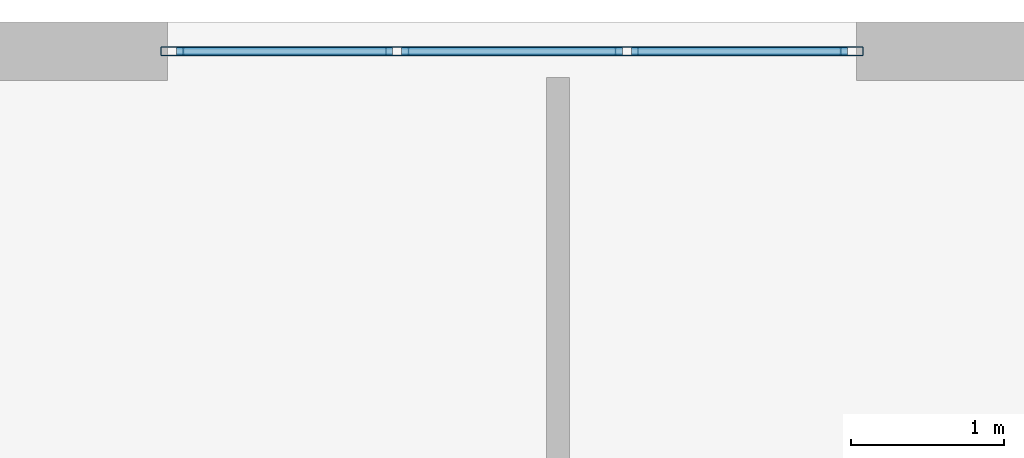
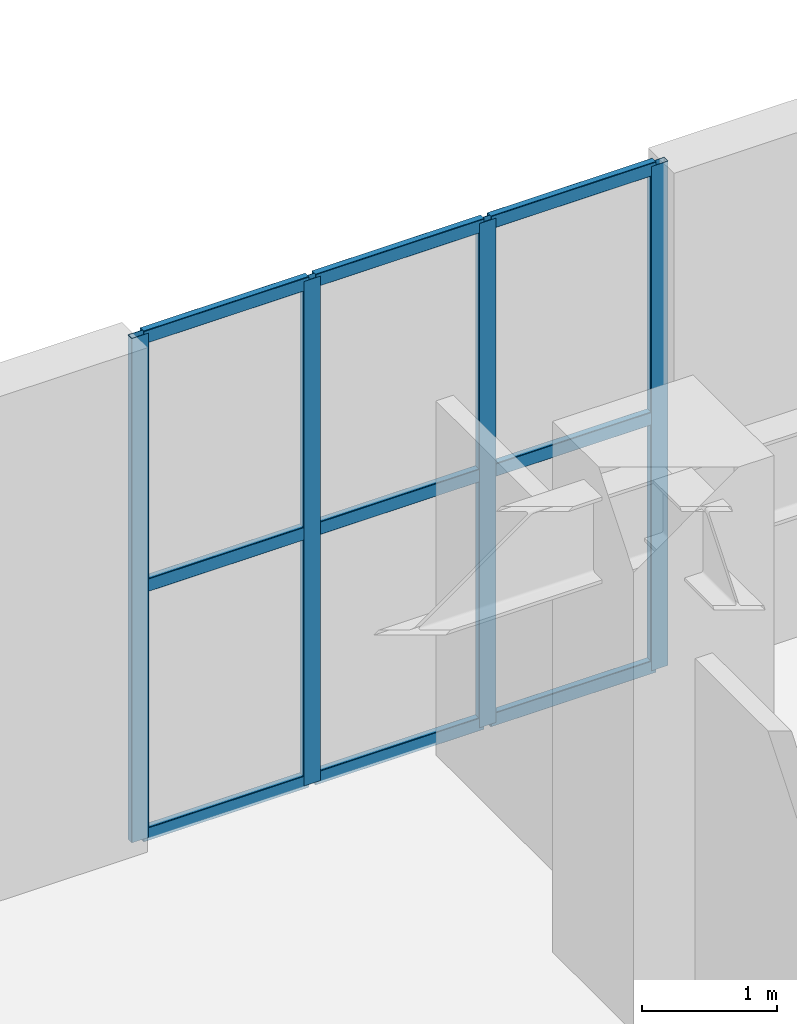
# One storey, part 10 of 18: 13 members, 1 element without a shape of its own.
"""IFC4 building model written with IfcOpenShell, lengths in metres."""

from ifc_helpers import new_model, entity, si_unit, converted_unit, direction, frame, origin_with_axes, origin_2d_with_axis, place, context, subcontext, project, spatial, hollow_rectangle, extrude, material, material_profile, profile_set, type_object, element, aggregate, save


model = new_model("IFC4")

# Units and contexts
model_context = context("Model", 3, precision=1e-05, world=origin_with_axes(), true_north=direction((0.0, 1.0)))
body_context = subcontext(model_context, "Body", "Model", "MODEL_VIEW")
ifc_project = project(units=[si_unit("LENGTHUNIT", "METRE"), si_unit("AREAUNIT", "SQUARE_METRE"), si_unit("VOLUMEUNIT", "CUBIC_METRE"), converted_unit("PLANEANGLEUNIT", "DEGREE", entity("IfcPlaneAngleMeasure", 0.017453292519943295), si_unit("PLANEANGLEUNIT", "RADIAN"), dimensions=[0, 0, 0, 0, 0, 0, 0]), si_unit("MASSUNIT", "GRAM", prefix="KILO"), si_unit("THERMODYNAMICTEMPERATUREUNIT", "KELVIN")], contexts=[model_context])

# Site, building, storey
site_placement = place(None, origin_with_axes())
site = spatial("IfcSite", under=ifc_project, at=site_placement, CompositionType="ELEMENT")
building_placement = place(site_placement, origin_with_axes())
building = spatial("IfcBuilding", under=site, at=building_placement, Name="Varnlund Millrace Tower", CompositionType="ELEMENT")
storey_placement = place(building_placement, frame((0.0, 0.0, 124.2), z_axis=(0.0, 0.0, 1.0), x_axis=(1.0, 0.0, 0.0)))
storey = spatial("IfcBuildingStorey", under=building, at=storey_placement, Name="L30", CompositionType="ELEMENT", Elevation=124.2)

# Curtain wall, members
ifc_material_1 = material(Name="Thermally broken architectural bronze curtain wall", Category="aluminium")
curtain_wall_type = type_object("IfcCurtainWallType", Name="Type-CW-Sys5-SkyLobby2Pool", PredefinedType="NOTDEFINED", material=ifc_material_1)
curtain_wall_placement = place(storey_placement, frame((8.85, 48.41, 0.0), z_axis=(0.0, 0.0, 1.0), x_axis=(1.0, 0.0, 0.0)))
curtain_wall = element("IfcCurtainWall", 1, at=curtain_wall_placement, inside=storey, type_object=curtain_wall_type, Name="Type-CW-Sys5-SkyLobby2Pool", PredefinedType="NOTDEFINED")
ifc_material_2 = material(Name="Architectural bronze aluminium alloy 6063-T6", Category="aluminium")
ifc_material_profile_1 = material_profile(ifc_material_2, hollow_rectangle(XDim=0.06, YDim=0.15, WallThickness=0.004, InnerFilletRadius=0.004, OuterFilletRadius=0.008, at=origin_2d_with_axis()), Name="Architectural bronze aluminium alloy 6063-T6")
ifc_profile_set_1 = profile_set([ifc_material_profile_1], Name="Architectural bronze aluminium alloy 6063-T6")
member_type_1 = type_object("IfcMemberType", Name="Type-CW-Mullion-60X150", PredefinedType="MULLION", material=ifc_profile_set_1)
member_1_placement = place(storey_placement, frame((8.88, 48.41, 0.0), z_axis=(0.0, 0.0, 1.0), x_axis=(0.0, 1.0, 0.0)))
member_1 = element("IfcMember", 2, at=member_1_placement, type_object=member_type_1, Name="CW-05 mullion 1", PredefinedType="MULLION", context=body_context, shape_type="SweptSolid", body=[
    extrude(hollow_rectangle(XDim=0.06, YDim=0.15, WallThickness=0.004, InnerFilletRadius=0.004, OuterFilletRadius=0.008, at=origin_2d_with_axis()), origin_with_axes(), (0.0, 0.0, 1.0), 4.56),
])
member_2_placement = place(storey_placement, frame((10.35, 48.41, 0.0), z_axis=(0.0, 0.0, 1.0), x_axis=(0.0, 1.0, 0.0)))
member_2 = element("IfcMember", 3, at=member_2_placement, type_object=member_type_1, Name="CW-05 mullion 2", PredefinedType="MULLION", context=body_context, shape_type="SweptSolid", body=[
    extrude(hollow_rectangle(XDim=0.06, YDim=0.15, WallThickness=0.004, InnerFilletRadius=0.004, OuterFilletRadius=0.008, at=origin_2d_with_axis()), origin_with_axes(), (0.0, 0.0, 1.0), 4.56),
])
member_3_placement = place(storey_placement, frame((11.85, 48.41, 0.0), z_axis=(0.0, 0.0, 1.0), x_axis=(0.0, 1.0, 0.0)))
member_3 = element("IfcMember", 4, at=member_3_placement, type_object=member_type_1, Name="CW-05 mullion 3", PredefinedType="MULLION", context=body_context, shape_type="SweptSolid", body=[
    extrude(hollow_rectangle(XDim=0.06, YDim=0.15, WallThickness=0.004, InnerFilletRadius=0.004, OuterFilletRadius=0.008, at=origin_2d_with_axis()), origin_with_axes(), (0.0, 0.0, 1.0), 4.56),
])
member_4_placement = place(storey_placement, frame((13.32, 48.41, 0.0), z_axis=(0.0, 0.0, 1.0), x_axis=(0.0, 1.0, 0.0)))
member_4 = element("IfcMember", 5, at=member_4_placement, type_object=member_type_1, Name="CW-05 mullion 4", PredefinedType="MULLION", context=body_context, shape_type="SweptSolid", body=[
    extrude(hollow_rectangle(XDim=0.06, YDim=0.15, WallThickness=0.004, InnerFilletRadius=0.004, OuterFilletRadius=0.008, at=origin_2d_with_axis()), origin_with_axes(), (0.0, 0.0, 1.0), 4.56),
])
ifc_material_profile_2 = material_profile(ifc_material_2, hollow_rectangle(XDim=0.06, YDim=0.12, WallThickness=0.004, InnerFilletRadius=0.004, OuterFilletRadius=0.008, at=origin_2d_with_axis()), Name="Architectural bronze aluminium alloy 6063-T6")
ifc_profile_set_2 = profile_set([ifc_material_profile_2], Name="Architectural bronze aluminium alloy 6063-T6")
member_type_2 = type_object("IfcMemberType", Name="Type-CW-Transom-60X120", PredefinedType="USERDEFINED", material=ifc_profile_set_2)
member_5_placement = place(storey_placement, frame((8.91, 48.41, 0.03), z_axis=(1.0, 0.0, 0.0), x_axis=(0.0, 1.0, 0.0)))
member_5 = element("IfcMember", 6, at=member_5_placement, type_object=member_type_2, Name="CW-05 transom 1.1", ObjectType="TRANSOM", PredefinedType="USERDEFINED", context=body_context, shape_type="SweptSolid", body=[
    extrude(hollow_rectangle(XDim=0.06, YDim=0.12, WallThickness=0.004, InnerFilletRadius=0.004, OuterFilletRadius=0.008, at=origin_2d_with_axis()), origin_with_axes(), (0.0, 0.0, 1.0), 1.41),
])
member_6_placement = place(storey_placement, frame((8.91, 48.41, 2.28), z_axis=(1.0, 0.0, 0.0), x_axis=(0.0, 1.0, 0.0)))
member_6 = element("IfcMember", 7, at=member_6_placement, type_object=member_type_2, Name="CW-05 transom 1.2", ObjectType="TRANSOM", PredefinedType="USERDEFINED", context=body_context, shape_type="SweptSolid", body=[
    extrude(hollow_rectangle(XDim=0.06, YDim=0.12, WallThickness=0.004, InnerFilletRadius=0.004, OuterFilletRadius=0.008, at=origin_2d_with_axis()), origin_with_axes(), (0.0, 0.0, 1.0), 1.41),
])
member_7_placement = place(storey_placement, frame((8.91, 48.41, 4.53), z_axis=(1.0, 0.0, 0.0), x_axis=(0.0, 1.0, 0.0)))
member_7 = element("IfcMember", 8, at=member_7_placement, type_object=member_type_2, Name="CW-05 transom 1.3", ObjectType="TRANSOM", PredefinedType="USERDEFINED", context=body_context, shape_type="SweptSolid", body=[
    extrude(hollow_rectangle(XDim=0.06, YDim=0.12, WallThickness=0.004, InnerFilletRadius=0.004, OuterFilletRadius=0.008, at=origin_2d_with_axis()), origin_with_axes(), (0.0, 0.0, 1.0), 1.41),
])
member_8_placement = place(storey_placement, frame((10.38, 48.41, 0.03), z_axis=(1.0, 0.0, 0.0), x_axis=(0.0, 1.0, 0.0)))
member_8 = element("IfcMember", 9, at=member_8_placement, type_object=member_type_2, Name="CW-05 transom 2.1", ObjectType="TRANSOM", PredefinedType="USERDEFINED", context=body_context, shape_type="SweptSolid", body=[
    extrude(hollow_rectangle(XDim=0.06, YDim=0.12, WallThickness=0.004, InnerFilletRadius=0.004, OuterFilletRadius=0.008, at=origin_2d_with_axis()), origin_with_axes(), (0.0, 0.0, 1.0), 1.44),
])
member_9_placement = place(storey_placement, frame((10.38, 48.41, 2.28), z_axis=(1.0, 0.0, 0.0), x_axis=(0.0, 1.0, 0.0)))
member_9 = element("IfcMember", 10, at=member_9_placement, type_object=member_type_2, Name="CW-05 transom 2.2", ObjectType="TRANSOM", PredefinedType="USERDEFINED", context=body_context, shape_type="SweptSolid", body=[
    extrude(hollow_rectangle(XDim=0.06, YDim=0.12, WallThickness=0.004, InnerFilletRadius=0.004, OuterFilletRadius=0.008, at=origin_2d_with_axis()), origin_with_axes(), (0.0, 0.0, 1.0), 1.44),
])
member_10_placement = place(storey_placement, frame((10.38, 48.41, 4.53), z_axis=(1.0, 0.0, 0.0), x_axis=(0.0, 1.0, 0.0)))
member_10 = element("IfcMember", 11, at=member_10_placement, type_object=member_type_2, Name="CW-05 transom 2.3", ObjectType="TRANSOM", PredefinedType="USERDEFINED", context=body_context, shape_type="SweptSolid", body=[
    extrude(hollow_rectangle(XDim=0.06, YDim=0.12, WallThickness=0.004, InnerFilletRadius=0.004, OuterFilletRadius=0.008, at=origin_2d_with_axis()), origin_with_axes(), (0.0, 0.0, 1.0), 1.44),
])
member_11_placement = place(storey_placement, frame((11.88, 48.41, 0.03), z_axis=(1.0, 0.0, 0.0), x_axis=(0.0, 1.0, 0.0)))
member_11 = element("IfcMember", 12, at=member_11_placement, type_object=member_type_2, Name="CW-05 transom 3.1", ObjectType="TRANSOM", PredefinedType="USERDEFINED", context=body_context, shape_type="SweptSolid", body=[
    extrude(hollow_rectangle(XDim=0.06, YDim=0.12, WallThickness=0.004, InnerFilletRadius=0.004, OuterFilletRadius=0.008, at=origin_2d_with_axis()), origin_with_axes(), (0.0, 0.0, 1.0), 1.41),
])
member_12_placement = place(storey_placement, frame((11.88, 48.41, 2.28), z_axis=(1.0, 0.0, 0.0), x_axis=(0.0, 1.0, 0.0)))
member_12 = element("IfcMember", 13, at=member_12_placement, type_object=member_type_2, Name="CW-05 transom 3.2", ObjectType="TRANSOM", PredefinedType="USERDEFINED", context=body_context, shape_type="SweptSolid", body=[
    extrude(hollow_rectangle(XDim=0.06, YDim=0.12, WallThickness=0.004, InnerFilletRadius=0.004, OuterFilletRadius=0.008, at=origin_2d_with_axis()), origin_with_axes(), (0.0, 0.0, 1.0), 1.41),
])
member_13_placement = place(storey_placement, frame((11.88, 48.41, 4.53), z_axis=(1.0, 0.0, 0.0), x_axis=(0.0, 1.0, 0.0)))
member_13 = element("IfcMember", 14, at=member_13_placement, type_object=member_type_2, Name="CW-05 transom 3.3", ObjectType="TRANSOM", PredefinedType="USERDEFINED", context=body_context, shape_type="SweptSolid", body=[
    extrude(hollow_rectangle(XDim=0.06, YDim=0.12, WallThickness=0.004, InnerFilletRadius=0.004, OuterFilletRadius=0.008, at=origin_2d_with_axis()), origin_with_axes(), (0.0, 0.0, 1.0), 1.41),
])
aggregate(curtain_wall, [member_1, member_2, member_3, member_4, member_5, member_6, member_7, member_8, member_9, member_10, member_11, member_12, member_13])

save(model, "model.ifc")
